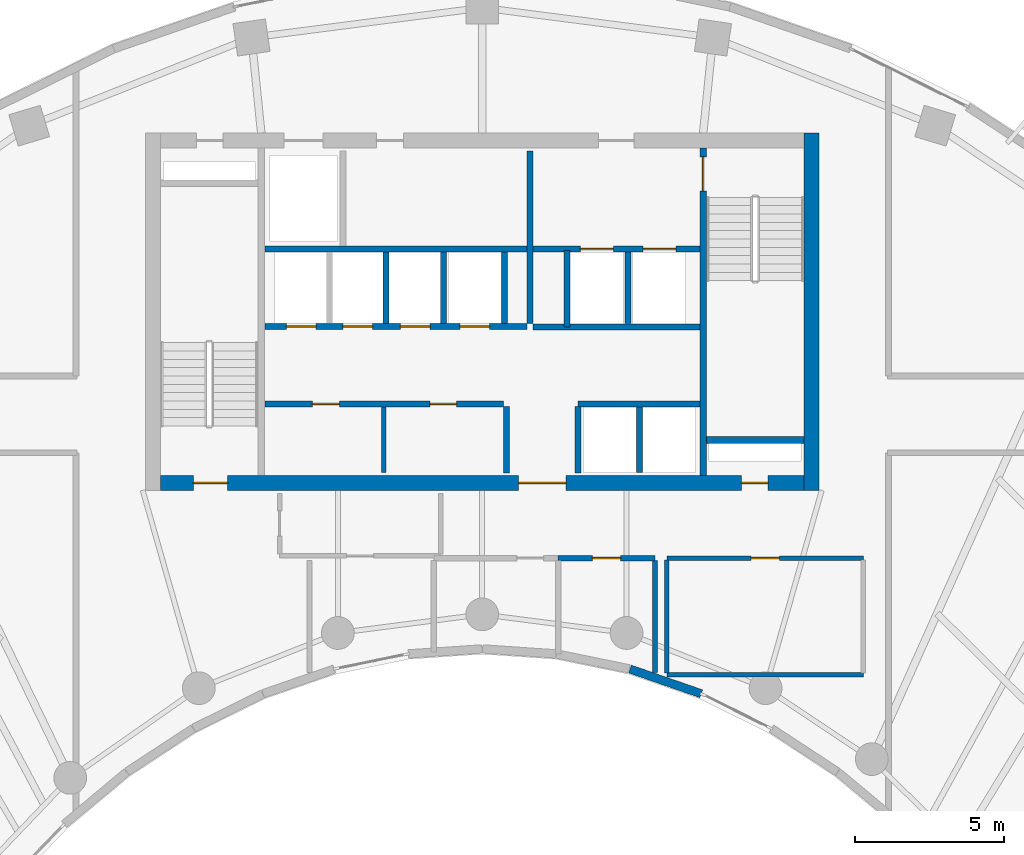
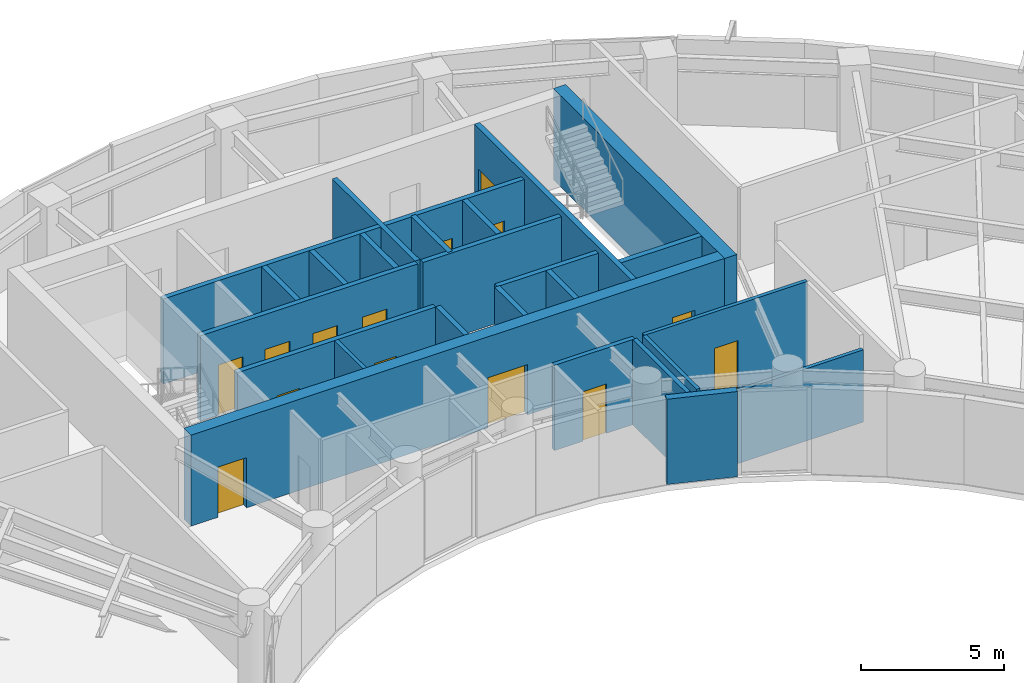
# One storey, part 9 of 13: 26 walls, 14 doors, 14 openings.
"""IFC4 building model written with IfcOpenShell, lengths in metres."""

from ifc_helpers import new_model, si_unit, direction, frame, frame_2d, origin, place, context, subcontext, project, spatial, rectangle, extrude, source, transform, mapped, material, layer, layer_set, type_object, type_shapes, element, fill, save


model = new_model("IFC4")

# Units and contexts
model_context = context("Model", 3, precision=1e-05, world=origin(), true_north=direction((0.0, 1.0)))
body_context = subcontext(model_context, "Body", "Model", "MODEL_VIEW")
ifc_project = project(units=[si_unit("LENGTHUNIT", "METRE"), si_unit("AREAUNIT", "SQUARE_METRE"), si_unit("VOLUMEUNIT", "CUBIC_METRE"), si_unit("PLANEANGLEUNIT", "RADIAN"), si_unit("MASSUNIT", "GRAM", prefix="KILO")], contexts=[model_context])

# Site, building, storey
site_placement = place(None, origin())
site = spatial("IfcSite", under=ifc_project, at=site_placement, CompositionType="ELEMENT")
building_placement = place(site_placement, origin())
building = spatial("IfcBuilding", under=site, at=building_placement, Name="Breltana Convention Tower", CompositionType="ELEMENT")
storey_placement = place(building_placement, frame((0.0, 0.0, 154.5)))
storey = spatial("IfcBuildingStorey", under=building, at=storey_placement, Name="L37", CompositionType="ELEMENT", Elevation=154.5)

# Wall
ifc_material_1 = material(Name="Concrete C60/75", Category="concrete")
ifc_layer_1 = layer(ifc_material_1, 0.5, Name="Concrete C60/75")
ifc_layer_set_1 = layer_set([ifc_layer_1], Name="Concrete C60/75")
wall_type_1 = type_object("IfcWallType", Name="SW-CORE-500", PredefinedType="SHEAR", material=ifc_layer_set_1)
shared_shape_1 = source(origin(), body_context, "Body", "SweptSolid", [
    extrude(rectangle(XDim=12.0, YDim=0.5, at=frame_2d((6.0, 0.0))), origin(), (0.0, 0.0, 1.0), 3.89990234375),
])
wall_1_placement = place(storey_placement, frame((59.050048828125, 60.199951171875, 0.0), z_axis=(0.0, 0.0, 1.0), x_axis=(0.0, 1.0, 0.0)))
element("IfcWall", 1, at=wall_1_placement, inside=storey, type_object=wall_type_1, Name="L37 East Core Shear Wall", PredefinedType="SHEAR", context=body_context, shape_type="MappedRepresentation", body=[
    mapped(shared_shape_1, transform((0.0, 0.0, 0.0), scale=1.0)),
])

# Wall, openings, doors
shared_shape_2 = source(origin(), body_context, "Body", "SweptSolid", [
    extrude(rectangle(XDim=21.60009765625, YDim=0.5, at=frame_2d((10.800048828125, 0.0))), origin(), (0.0, 0.0, 1.0), 3.89990234375),
])
wall_2_placement = place(storey_placement, frame((37.199951171875, 60.449951171875, 0.0), z_axis=(0.0, 0.0, 1.0), x_axis=(1.0, 0.0, 0.0)))
wall_2 = element("IfcWall", 2, at=wall_2_placement, inside=storey, type_object=wall_type_1, Name="L37 South Core Shear Wall", PredefinedType="SHEAR", context=body_context, shape_type="MappedRepresentation", body=[
    mapped(shared_shape_2, transform((0.0, 0.0, 0.0), scale=1.0)),
])
opening_1_placement = place(wall_2_placement, frame((1.10009765625, 0.0, 0.0)))
opening_1 = element("IfcOpeningElement", 3, at=opening_1_placement, cuts=wall_2, Name="Opening D-11", PredefinedType="OPENING", context=body_context, shape_type="SweptSolid", body=[
    extrude(rectangle(XDim=1.14990234375, YDim=2.14990234375, at=frame_2d((0.574951171875, 1.074951171875))), frame((0.0, 0.260009765625, 0.0), z_axis=(0.0, -1.0, 0.0), x_axis=(1.0, 0.0, 0.0)), (0.0, 0.0, 1.0), 0.52001953125),
])
opening_2_placement = place(wall_2_placement, frame((19.5, 0.0, 0.0)))
opening_2 = element("IfcOpeningElement", 4, at=opening_2_placement, cuts=wall_2, Name="Opening D-18", PredefinedType="OPENING", context=body_context, shape_type="SweptSolid", body=[
    extrude(rectangle(XDim=0.89990234375, YDim=2.10009765625, at=frame_2d((0.449951171875, 1.050048828125))), frame((0.0, 0.260009765625, 0.0), z_axis=(0.0, -1.0, 0.0), x_axis=(1.0, 0.0, 0.0)), (0.0, 0.0, 1.0), 0.52001953125),
])
opening_3_placement = place(wall_2_placement, frame((12.02001953125, 0.0, 0.0)))
opening_3 = element("IfcOpeningElement", 5, at=opening_3_placement, cuts=wall_2, Name="Opening D-02", PredefinedType="OPENING", context=body_context, shape_type="SweptSolid", body=[
    extrude(rectangle(XDim=1.60009765625, YDim=2.14990234375, at=frame_2d((0.800048828125, 1.074951171875))), frame((0.0, 0.260009765625, 0.0), z_axis=(0.0, -1.0, 0.0), x_axis=(1.0, 0.0, 0.0)), (0.0, 0.0, 1.0), 0.52001953125),
])
ifc_material_2 = material(Name="Steel Stair Exit Door", Category="steel")
door_type_1 = type_object("IfcDoorType", Name="DR-FD120-1150", OperationType="NOTDEFINED", PredefinedType="DOOR", material=ifc_material_2)
shared_shape_3 = source(origin(), body_context, "Body", "SweptSolid", [
    extrude(rectangle(XDim=1.14990234375, YDim=2.14990234375, at=frame_2d((0.574951171875, 1.074951171875))), frame((0.0, 0.02490234375, 0.0), z_axis=(0.0, -1.0, 0.0), x_axis=(1.0, 0.0, 0.0)), (0.0, 0.0, 1.0), 0.050048828125),
])
type_shapes(door_type_1, [shared_shape_3])
door_1_placement = place(opening_1_placement, origin())
door_1 = element("IfcDoor", 6, at=door_1_placement, inside=storey, type_object=door_type_1, Name="L37 interior door D-L37-ST1", OperationType="SINGLE_SWING_LEFT", OverallHeight=2.14990234375, OverallWidth=1.14990234375, PredefinedType="DOOR", context=body_context, shape_type="MappedRepresentation", body=[
    mapped(shared_shape_3, transform((0.0, 0.0, 0.0), scale=1.0)),
])
fill(opening_1, door_1)
ifc_material_3 = material(Name="Steel Riser Fire Door", Category="steel")
door_type_2 = type_object("IfcDoorType", Name="DR-FD60-900", OperationType="NOTDEFINED", PredefinedType="DOOR", material=ifc_material_3)
shared_shape_4 = source(origin(), body_context, "Body", "SweptSolid", [
    extrude(rectangle(XDim=0.89990234375, YDim=2.10009765625, at=frame_2d((0.449951171875, 1.050048828125))), frame((0.0, 0.02490234375, 0.0), z_axis=(0.0, -1.0, 0.0), x_axis=(1.0, 0.0, 0.0)), (0.0, 0.0, 1.0), 0.050048828125),
])
type_shapes(door_type_2, [shared_shape_4])
door_2_placement = place(opening_2_placement, origin())
door_2 = element("IfcDoor", 7, at=door_2_placement, inside=storey, type_object=door_type_2, Name="L37 Core Riser Access Door D-L37-RS2", OperationType="SINGLE_SWING_RIGHT", OverallHeight=2.10009765625, OverallWidth=0.89990234375, PredefinedType="DOOR", context=body_context, shape_type="MappedRepresentation", body=[
    mapped(shared_shape_4, transform((0.0, 0.0, 0.0), scale=1.0)),
])
fill(opening_2, door_2)
ifc_material_4 = material(Name="Steel Glazed Smoke-Control Door", Category="steel")
door_type_3 = type_object("IfcDoorType", Name="DR-DBL-FD90-1600", OperationType="DOUBLE_DOOR_SINGLE_SWING", PredefinedType="DOOR", material=ifc_material_4)
shared_shape_5 = source(origin(), body_context, "Body", "SweptSolid", [
    extrude(rectangle(XDim=1.60009765625, YDim=2.14990234375, at=frame_2d((0.800048828125, 1.074951171875))), frame((0.0, 0.02490234375, 0.0), z_axis=(0.0, -1.0, 0.0), x_axis=(1.0, 0.0, 0.0)), (0.0, 0.0, 1.0), 0.050048828125),
])
type_shapes(door_type_3, [shared_shape_5])
door_3_placement = place(opening_3_placement, origin())
door_3 = element("IfcDoor", 8, at=door_3_placement, inside=storey, type_object=door_type_3, Name="L37 interior door D-L37-LLB-S", OperationType="DOUBLE_DOOR_SINGLE_SWING", OverallHeight=2.14990234375, OverallWidth=1.60009765625, PredefinedType="DOOR", context=body_context, shape_type="MappedRepresentation", body=[
    mapped(shared_shape_5, transform((0.0, 0.0, 0.0), scale=1.0)),
])
fill(opening_3, door_3)

# Wall
ifc_material_5 = material(Name="Concrete C50/60", Category="concrete")
ifc_layer_2 = layer(ifc_material_5, 0.39990234375, Name="Concrete C50/60")
ifc_layer_set_2 = layer_set([ifc_layer_2], Name="Concrete C50/60")
wall_type_2 = type_object("IfcWallType", Name="SW-CORE-400", PredefinedType="SHEAR", material=ifc_layer_set_2)
shared_shape_6 = source(origin(), body_context, "Body", "SweptSolid", [
    extrude(rectangle(XDim=3.27001953125, YDim=0.219970703125, at=frame_2d((1.635009765625, 0.0))), origin(), (0.0, 0.0, 1.0), 3.89990234375),
])
wall_3_placement = place(storey_placement, frame((55.530029296875, 61.889892578125, 0.0), z_axis=(0.0, 0.0, 1.0), x_axis=(1.0, 0.0, 0.0)))
element("IfcWall", 9, at=wall_3_placement, inside=storey, type_object=wall_type_2, Name="L37 ST-2 Stairwell South Bearing Wall", PredefinedType="SHEAR", context=body_context, shape_type="MappedRepresentation", body=[
    mapped(shared_shape_6, transform((0.0, 0.0, 0.0), scale=1.0)),
])

# Wall, opening, door
shared_shape_7 = source(origin(), body_context, "Body", "SweptSolid", [
    extrude(rectangle(XDim=11.0, YDim=0.219970703125, at=frame_2d((5.5, 0.0))), origin(), (0.0, 0.0, 1.0), 3.89990234375),
])
wall_4_placement = place(storey_placement, frame((55.419921875, 60.699951171875, 0.0), z_axis=(0.0, 0.0, 1.0), x_axis=(0.0, 1.0, 0.0)))
wall_4 = element("IfcWall", 10, at=wall_4_placement, inside=storey, type_object=wall_type_2, Name="L37 Core East Stair Spine Wall", PredefinedType="SHEAR", context=body_context, shape_type="MappedRepresentation", body=[
    mapped(shared_shape_7, transform((0.0, 0.0, 0.0), scale=1.0)),
])
opening_4_placement = place(wall_4_placement, frame((9.544921875, 0.0, 0.0)))
opening_4 = element("IfcOpeningElement", 11, at=opening_4_placement, cuts=wall_4, Name="Opening D-11", PredefinedType="OPENING", context=body_context, shape_type="SweptSolid", body=[
    extrude(rectangle(XDim=1.14990234375, YDim=2.14990234375, at=frame_2d((0.574951171875, 1.074951171875))), frame((0.0, 0.1201171875, 0.0), z_axis=(0.0, -1.0, 0.0), x_axis=(1.0, 0.0, 0.0)), (0.0, 0.0, 1.0), 0.239990234375),
])
door_4_placement = place(opening_4_placement, origin())
door_4 = element("IfcDoor", 12, at=door_4_placement, inside=storey, type_object=door_type_1, Name="L37 interior door D-L37-ST2", OperationType="SINGLE_SWING_LEFT", OverallHeight=2.14990234375, OverallWidth=1.14990234375, PredefinedType="DOOR", context=body_context, shape_type="MappedRepresentation", body=[
    mapped(shared_shape_3, transform((0.0, 0.0, 0.0), scale=1.0)),
])
fill(opening_4, door_4)

# Walls
ifc_material_6 = material(Name="Limestone Buff Insulated Wall", Category="masonry")
ifc_layer_3 = layer(ifc_material_6, 0.280029296875, Name="Limestone Buff Insulated Wall")
ifc_layer_set_3 = layer_set([ifc_layer_3], Name="Limestone Buff Insulated Wall")
wall_type_3 = type_object("IfcWallType", Name="WL-EXT-NOSE-280", PredefinedType="SOLIDWALL", material=ifc_layer_set_3)
shared_shape_8 = source(origin(), body_context, "Body", "SweptSolid", [
    extrude(rectangle(XDim=2.52978515625, YDim=0.280029296875, at=frame_2d((1.264892578125, 0.0))), origin(), (0.0, 0.0, 1.0), 3.64990234375),
])
wall_5_placement = place(storey_placement, frame((55.35546875, 53.369873046875, 0.0), z_axis=(0.0, 0.0, 1.0), x_axis=(-0.944872429646, 0.327438683872, 0.0)))
element("IfcWall", 13, at=wall_5_placement, inside=storey, type_object=wall_type_3, Name="L37 curved limestone nose wall E10", PredefinedType="SOLIDWALL", context=body_context, shape_type="MappedRepresentation", body=[
    mapped(shared_shape_8, transform((0.0, 0.0, 0.0), scale=1.0)),
])
ifc_material_7 = material(Name="Autoclaved Aerated Concrete Block", Category="concrete")
ifc_layer_4 = layer(ifc_material_7, 0.199951171875, Name="Autoclaved Aerated Concrete Block")
ifc_layer_set_4 = layer_set([ifc_layer_4], Name="Autoclaved Aerated Concrete Block")
wall_type_4 = type_object("IfcWallType", Name="WL-SHAFT-200", PredefinedType="SOLIDWALL", material=ifc_layer_set_4)
shared_shape_9 = source(origin(), body_context, "Body", "SweptSolid", [
    extrude(rectangle(XDim=2.239990234375, YDim=0.199951171875, at=frame_2d((1.1201171875, 0.0))), origin(), (0.0, 0.0, 1.0), 3.64990234375),
])
for number, where, z_axis, x_axis, name in (
    (14, (48.820068359375, 60.780029296875, 0.0), (0.0, 0.0, 1.0), (0.0, 1.0, 0.0), "L37 interior partition W-L37-PORT-W"),
    (15, (51.219970703125, 60.780029296875, 0.0), (0.0, 0.0, 1.0), (0.0, 1.0, 0.0), "L37 interior partition W-L37-PORT-E"),
):
    element("IfcWall", number, at=place(storey_placement, frame(where, z_axis=z_axis, x_axis=x_axis)), inside=storey, type_object=wall_type_4, Name=name, PredefinedType="SOLIDWALL", context=body_context, shape_type="MappedRepresentation", body=[
        mapped(shared_shape_9, transform((0.0, 0.0, 0.0), scale=1.0)),
    ])

# Wall, openings, doors
shared_shape_10 = source(origin(), body_context, "Body", "SweptSolid", [
    extrude(rectangle(XDim=5.6201171875, YDim=0.199951171875, at=frame_2d((2.81005859375, 0.0))), origin(), (0.0, 0.0, 1.0), 3.64990234375),
])
wall_6_placement = place(storey_placement, frame((49.699951171875, 68.300048828125, 0.0), z_axis=(0.0, 0.0, 1.0), x_axis=(1.0, 0.0, 0.0)))
wall_6 = element("IfcWall", 16, at=wall_6_placement, inside=storey, type_object=wall_type_4, Name="L37 interior partition W-L37-FFL-S", PredefinedType="SOLIDWALL", context=body_context, shape_type="MappedRepresentation", body=[
    mapped(shared_shape_10, transform((0.0, 0.0, 0.0), scale=1.0)),
])
opening_5_placement = place(wall_6_placement, frame((1.60009765625, 0.0, 0.0)))
opening_5 = element("IfcOpeningElement", 17, at=opening_5_placement, cuts=wall_6, Name="Opening LD-03", PredefinedType="OPENING", context=body_context, shape_type="SweptSolid", body=[
    extrude(rectangle(XDim=1.10009765625, YDim=2.14990234375, at=frame_2d((0.550048828125, 1.074951171875))), frame((0.0, 0.10986328125, 0.0), z_axis=(0.0, -1.0, 0.0), x_axis=(1.0, 0.0, 0.0)), (0.0, 0.0, 1.0), 0.219970703125),
])
opening_6_placement = place(wall_6_placement, frame((3.699951171875, 0.0, 0.0)))
opening_6 = element("IfcOpeningElement", 18, at=opening_6_placement, cuts=wall_6, Name="Opening LD-03", PredefinedType="OPENING", context=body_context, shape_type="SweptSolid", body=[
    extrude(rectangle(XDim=1.10009765625, YDim=2.14990234375, at=frame_2d((0.550048828125, 1.074951171875))), frame((0.0, 0.10986328125, 0.0), z_axis=(0.0, -1.0, 0.0), x_axis=(1.0, 0.0, 0.0)), (0.0, 0.0, 1.0), 0.219970703125),
])
ifc_material_8 = material(Name="Stainless Steel Brushed", Category="steel")
door_type_4 = type_object("IfcDoorType", Name="DR-LD-FF-1100", OperationType="DOUBLE_DOOR_SLIDING", PredefinedType="DOOR", material=ifc_material_8)
shared_shape_11 = source(origin(), body_context, "Body", "SweptSolid", [
    extrude(rectangle(XDim=1.10009765625, YDim=2.14990234375, at=frame_2d((0.550048828125, 1.074951171875))), frame((0.0, 0.02490234375, 0.0), z_axis=(0.0, -1.0, 0.0), x_axis=(1.0, 0.0, 0.0)), (0.0, 0.0, 1.0), 0.050048828125),
])
type_shapes(door_type_4, [shared_shape_11])
door_5_placement = place(opening_5_placement, origin())
door_5 = element("IfcDoor", 19, at=door_5_placement, inside=storey, type_object=door_type_4, Name="L37 Lift Landing Door D-L37-LD-FL1", OperationType="DOUBLE_DOOR_SLIDING", OverallHeight=2.14990234375, OverallWidth=1.10009765625, PredefinedType="DOOR", context=body_context, shape_type="MappedRepresentation", body=[
    mapped(shared_shape_11, transform((0.0, 0.0, 0.0), scale=1.0)),
])
fill(opening_5, door_5)
door_6_placement = place(opening_6_placement, origin())
door_6 = element("IfcDoor", 20, at=door_6_placement, inside=storey, type_object=door_type_4, Name="L37 Lift Landing Door D-L37-LD-FL2", OperationType="DOUBLE_DOOR_SLIDING", OverallHeight=2.14990234375, OverallWidth=1.10009765625, PredefinedType="DOOR", context=body_context, shape_type="MappedRepresentation", body=[
    mapped(shared_shape_11, transform((0.0, 0.0, 0.0), scale=1.0)),
])
fill(opening_6, door_6)

# Walls
wall_7_placement = place(storey_placement, frame((49.699951171875, 65.679931640625, 0.0), z_axis=(0.0, 0.0, 1.0), x_axis=(1.0, 0.0, 0.0)))
element("IfcWall", 21, at=wall_7_placement, inside=storey, type_object=wall_type_4, Name="L37 interior partition W-L37-FL-S", PredefinedType="SOLIDWALL", context=body_context, shape_type="MappedRepresentation", body=[
    mapped(shared_shape_10, transform((0.0, 0.0, 0.0), scale=1.0)),
])
shared_shape_12 = source(origin(), body_context, "Body", "SweptSolid", [
    extrude(rectangle(XDim=5.800048828125, YDim=0.199951171875, at=frame_2d((2.89990234375, 0.0))), origin(), (0.0, 0.0, 1.0), 3.64990234375),
])
wall_8_placement = place(storey_placement, frame((49.60009765625, 65.800048828125, 0.0), z_axis=(0.0, 0.0, 1.0), x_axis=(0.0, 1.0, 0.0)))
element("IfcWall", 22, at=wall_8_placement, inside=storey, type_object=wall_type_4, Name="L37 interior partition W-L37-FFL-W", PredefinedType="SOLIDWALL", context=body_context, shape_type="MappedRepresentation", body=[
    mapped(shared_shape_12, transform((0.0, 0.0, 0.0), scale=1.0)),
])
shared_shape_13 = source(origin(), body_context, "Body", "SweptSolid", [
    extrude(rectangle(XDim=2.580078125, YDim=0.199951171875, at=frame_2d((1.2900390625, 0.0))), origin(), (0.0, 0.0, 1.0), 3.64990234375),
])
wall_9_placement = place(storey_placement, frame((50.85009765625, 65.679931640625, 0.0), z_axis=(0.0, 0.0, 1.0), x_axis=(0.0, 1.0, 0.0)))
element("IfcWall", 23, at=wall_9_placement, inside=storey, type_object=wall_type_4, Name="L37 interior partition W-L37-FL-W", PredefinedType="SOLIDWALL", context=body_context, shape_type="MappedRepresentation", body=[
    mapped(shared_shape_13, transform((0.0, 0.0, 0.0), scale=1.0)),
])
shared_shape_14 = source(origin(), body_context, "Body", "SweptSolid", [
    extrude(rectangle(XDim=2.39990234375, YDim=0.199951171875, at=frame_2d((1.199951171875, 0.0))), origin(), (0.0, 0.0, 1.0), 3.64990234375),
])
for number, where, z_axis, x_axis, name in (
    (24, (52.89990234375, 65.800048828125, 0.0), (0.0, 0.0, 1.0), (0.0, 1.0, 0.0), "L37 interior partition W-L37-FL-DIV"),
    (25, (48.75, 65.800048828125, 0.0), (0.0, 0.0, 1.0), (0.0, 1.0, 0.0), "L37 interior partition W-L37-SH-M-END"),
    (26, (44.77001953125, 65.800048828125, 0.0), (0.0, 0.0, 1.0), (0.0, 1.0, 0.0), "L37 interior partition W-L37-SH-M-DIV2"),
    (27, (46.699951171875, 65.800048828125, 0.0), (0.0, 0.0, 1.0), (0.0, 1.0, 0.0), "L37 interior partition W-L37-SH-M-DIV3"),
):
    element("IfcWall", number, at=place(storey_placement, frame(where, z_axis=z_axis, x_axis=x_axis)), inside=storey, type_object=wall_type_4, Name=name, PredefinedType="SOLIDWALL", context=body_context, shape_type="MappedRepresentation", body=[
        mapped(shared_shape_14, transform((0.0, 0.0, 0.0), scale=1.0)),
    ])
shared_shape_15 = source(origin(), body_context, "Body", "SweptSolid", [
    extrude(rectangle(XDim=8.800048828125, YDim=0.199951171875, at=frame_2d((4.39990234375, 0.0))), origin(), (0.0, 0.0, 1.0), 3.64990234375),
])
wall_10_placement = place(storey_placement, frame((40.699951171875, 68.300048828125, 0.0), z_axis=(0.0, 0.0, 1.0), x_axis=(1.0, 0.0, 0.0)))
element("IfcWall", 28, at=wall_10_placement, inside=storey, type_object=wall_type_4, Name="L37 interior partition W-L37-SV-S", PredefinedType="SOLIDWALL", context=body_context, shape_type="MappedRepresentation", body=[
    mapped(shared_shape_15, transform((0.0, 0.0, 0.0), scale=1.0)),
])

# Wall, openings, doors
wall_11_placement = place(storey_placement, frame((40.699951171875, 65.699951171875, 0.0), z_axis=(0.0, 0.0, 1.0), x_axis=(1.0, 0.0, 0.0)))
wall_11 = element("IfcWall", 29, at=wall_11_placement, inside=storey, type_object=wall_type_4, Name="L37 interior partition W-L37-SH-M-FRONT", PredefinedType="SOLIDWALL", context=body_context, shape_type="MappedRepresentation", body=[
    mapped(shared_shape_15, transform((0.0, 0.0, 0.0), scale=1.0)),
])
opening_7_placement = place(wall_11_placement, frame((0.719970703125, 0.0, 0.0)))
opening_7 = element("IfcOpeningElement", 30, at=opening_7_placement, cuts=wall_11, Name="Opening LD-04", PredefinedType="OPENING", context=body_context, shape_type="SweptSolid", body=[
    extrude(rectangle(XDim=1.0, YDim=2.14990234375, at=frame_2d((0.5, 1.074951171875))), frame((0.0, 0.10986328125, 0.0), z_axis=(0.0, -1.0, 0.0), x_axis=(1.0, 0.0, 0.0)), (0.0, 0.0, 1.0), 0.219970703125),
])
opening_8_placement = place(wall_11_placement, frame((2.6201171875, 0.0, 0.0)))
opening_8 = element("IfcOpeningElement", 31, at=opening_8_placement, cuts=wall_11, Name="Opening LD-04", PredefinedType="OPENING", context=body_context, shape_type="SweptSolid", body=[
    extrude(rectangle(XDim=1.0, YDim=2.14990234375, at=frame_2d((0.5, 1.074951171875))), frame((0.0, 0.10986328125, 0.0), z_axis=(0.0, -1.0, 0.0), x_axis=(1.0, 0.0, 0.0)), (0.0, 0.0, 1.0), 0.219970703125),
])
opening_9_placement = place(wall_11_placement, frame((4.550048828125, 0.0, 0.0)))
opening_9 = element("IfcOpeningElement", 32, at=opening_9_placement, cuts=wall_11, Name="Opening LD-04", PredefinedType="OPENING", context=body_context, shape_type="SweptSolid", body=[
    extrude(rectangle(XDim=1.0, YDim=2.14990234375, at=frame_2d((0.5, 1.074951171875))), frame((0.0, 0.10986328125, 0.0), z_axis=(0.0, -1.0, 0.0), x_axis=(1.0, 0.0, 0.0)), (0.0, 0.0, 1.0), 0.219970703125),
])
opening_10_placement = place(wall_11_placement, frame((6.550048828125, 0.0, 0.0)))
opening_10 = element("IfcOpeningElement", 33, at=opening_10_placement, cuts=wall_11, Name="Opening LD-04", PredefinedType="OPENING", context=body_context, shape_type="SweptSolid", body=[
    extrude(rectangle(XDim=1.0, YDim=2.14990234375, at=frame_2d((0.5, 1.074951171875))), frame((0.0, 0.10986328125, 0.0), z_axis=(0.0, -1.0, 0.0), x_axis=(1.0, 0.0, 0.0)), (0.0, 0.0, 1.0), 0.219970703125),
])
door_type_5 = type_object("IfcDoorType", Name="DR-LD-PAX-1000", OperationType="DOUBLE_DOOR_SLIDING", PredefinedType="DOOR", material=ifc_material_8)
shared_shape_16 = source(origin(), body_context, "Body", "SweptSolid", [
    extrude(rectangle(XDim=1.0, YDim=2.14990234375, at=frame_2d((0.5, 1.074951171875))), frame((0.0, 0.02490234375, 0.0), z_axis=(0.0, -1.0, 0.0), x_axis=(1.0, 0.0, 0.0)), (0.0, 0.0, 1.0), 0.050048828125),
])
type_shapes(door_type_5, [shared_shape_16])
door_7_placement = place(opening_7_placement, origin())
door_7 = element("IfcDoor", 34, at=door_7_placement, inside=storey, type_object=door_type_5, Name="L37 Lift Landing Door D-L37-LD-M1", OperationType="DOUBLE_DOOR_SLIDING", OverallHeight=2.14990234375, OverallWidth=1.0, PredefinedType="DOOR", context=body_context, shape_type="MappedRepresentation", body=[
    mapped(shared_shape_16, transform((0.0, 0.0, 0.0), scale=1.0)),
])
fill(opening_7, door_7)
door_8_placement = place(opening_8_placement, origin())
door_8 = element("IfcDoor", 35, at=door_8_placement, inside=storey, type_object=door_type_5, Name="L37 Lift Landing Door D-L37-LD-M2", OperationType="DOUBLE_DOOR_SLIDING", OverallHeight=2.14990234375, OverallWidth=1.0, PredefinedType="DOOR", context=body_context, shape_type="MappedRepresentation", body=[
    mapped(shared_shape_16, transform((0.0, 0.0, 0.0), scale=1.0)),
])
fill(opening_8, door_8)
door_9_placement = place(opening_9_placement, origin())
door_9 = element("IfcDoor", 36, at=door_9_placement, inside=storey, type_object=door_type_5, Name="L37 Lift Landing Door D-L37-LD-M3", OperationType="DOUBLE_DOOR_SLIDING", OverallHeight=2.14990234375, OverallWidth=1.0, PredefinedType="DOOR", context=body_context, shape_type="MappedRepresentation", body=[
    mapped(shared_shape_16, transform((0.0, 0.0, 0.0), scale=1.0)),
])
fill(opening_9, door_9)
door_10_placement = place(opening_10_placement, origin())
door_10 = element("IfcDoor", 37, at=door_10_placement, inside=storey, type_object=door_type_5, Name="L37 Lift Landing Door D-L37-LD-M4", OperationType="DOUBLE_DOOR_SLIDING", OverallHeight=2.14990234375, OverallWidth=1.0, PredefinedType="DOOR", context=body_context, shape_type="MappedRepresentation", body=[
    mapped(shared_shape_16, transform((0.0, 0.0, 0.0), scale=1.0)),
])
fill(opening_10, door_10)

shared_shape_17 = source(origin(), body_context, "Body", "SweptSolid", [
    extrude(rectangle(XDim=8.02001953125, YDim=0.199951171875, at=frame_2d((4.010009765625, 0.0))), origin(), (0.0, 0.0, 1.0), 3.64990234375),
])
wall_12_placement = place(storey_placement, frame((40.699951171875, 63.10009765625, 0.0), z_axis=(0.0, 0.0, 1.0), x_axis=(1.0, 0.0, 0.0)))
wall_12 = element("IfcWall", 38, at=wall_12_placement, inside=storey, type_object=wall_type_4, Name="L37 interior partition W-L37-SH-S-FRONT", PredefinedType="SOLIDWALL", context=body_context, shape_type="MappedRepresentation", body=[
    mapped(shared_shape_17, transform((0.0, 0.0, 0.0), scale=1.0)),
])
opening_11_placement = place(wall_12_placement, frame((1.60009765625, 0.0, 0.0)))
opening_11 = element("IfcOpeningElement", 39, at=opening_11_placement, cuts=wall_12, Name="Opening D-18", PredefinedType="OPENING", context=body_context, shape_type="SweptSolid", body=[
    extrude(rectangle(XDim=0.89990234375, YDim=2.10009765625, at=frame_2d((0.449951171875, 1.050048828125))), frame((0.0, 0.10986328125, 0.0), z_axis=(0.0, -1.0, 0.0), x_axis=(1.0, 0.0, 0.0)), (0.0, 0.0, 1.0), 0.219970703125),
])
opening_12_placement = place(wall_12_placement, frame((5.5400390625, 0.0, 0.0)))
opening_12 = element("IfcOpeningElement", 40, at=opening_12_placement, cuts=wall_12, Name="Opening D-18", PredefinedType="OPENING", context=body_context, shape_type="SweptSolid", body=[
    extrude(rectangle(XDim=0.89990234375, YDim=2.10009765625, at=frame_2d((0.449951171875, 1.050048828125))), frame((0.0, 0.10986328125, 0.0), z_axis=(0.0, -1.0, 0.0), x_axis=(1.0, 0.0, 0.0)), (0.0, 0.0, 1.0), 0.219970703125),
])
door_11_placement = place(opening_11_placement, origin())
door_11 = element("IfcDoor", 41, at=door_11_placement, inside=storey, type_object=door_type_2, Name="L37 interior door D-L37-LV7-B1A", OperationType="SINGLE_SWING_RIGHT", OverallHeight=2.10009765625, OverallWidth=0.89990234375, PredefinedType="DOOR", context=body_context, shape_type="MappedRepresentation", body=[
    mapped(shared_shape_4, transform((0.0, 0.0, 0.0), scale=1.0)),
])
fill(opening_11, door_11)
door_12_placement = place(opening_12_placement, origin())
door_12 = element("IfcDoor", 42, at=door_12_placement, inside=storey, type_object=door_type_2, Name="L37 interior door D-L37-LV7-B1B", OperationType="SINGLE_SWING_LEFT", OverallHeight=2.10009765625, OverallWidth=0.89990234375, PredefinedType="DOOR", context=body_context, shape_type="MappedRepresentation", body=[
    mapped(shared_shape_4, transform((0.0, 0.0, 0.0), scale=1.0)),
])
fill(opening_12, door_12)

# Walls
shared_shape_18 = source(origin(), body_context, "Body", "SweptSolid", [
    extrude(rectangle(XDim=4.10009765625, YDim=0.199951171875, at=frame_2d((2.050048828125, 0.0))), origin(), (0.0, 0.0, 1.0), 3.64990234375),
])
wall_13_placement = place(storey_placement, frame((51.219970703125, 63.10009765625, 0.0), z_axis=(0.0, 0.0, 1.0), x_axis=(1.0, 0.0, 0.0)))
element("IfcWall", 43, at=wall_13_placement, inside=storey, type_object=wall_type_4, Name="L37 interior partition W-L37-SH-X-FRONT", PredefinedType="SOLIDWALL", context=body_context, shape_type="MappedRepresentation", body=[
    mapped(shared_shape_18, transform((0.0, 0.0, 0.0), scale=1.0)),
])
shared_shape_19 = source(origin(), body_context, "Body", "SweptSolid", [
    extrude(rectangle(XDim=2.199951171875, YDim=0.199951171875, at=frame_2d((1.10009765625, 0.0))), origin(), (0.0, 0.0, 1.0), 3.64990234375),
])
wall_14_placement = place(storey_placement, frame((53.280029296875, 60.800048828125, 0.0), z_axis=(0.0, 0.0, 1.0), x_axis=(0.0, 1.0, 0.0)))
element("IfcWall", 44, at=wall_14_placement, inside=storey, type_object=wall_type_4, Name="L37 interior partition W-L37-SH-X-DIV", PredefinedType="SOLIDWALL", context=body_context, shape_type="MappedRepresentation", body=[
    mapped(shared_shape_19, transform((0.0, 0.0, 0.0), scale=1.0)),
])
ifc_material_9 = material(Name="Cement Board Wet-Area Partition")
ifc_layer_5 = layer(ifc_material_9, 0.175048828125, Name="Cement Board Wet-Area Partition")
ifc_layer_set_5 = layer_set([ifc_layer_5], Name="Cement Board Wet-Area Partition")
wall_type_5 = type_object("IfcWallType", Name="WL-WET-175", PredefinedType="PARTITIONING", material=ifc_layer_set_5)
shared_shape_20 = source(origin(), body_context, "Body", "SweptSolid", [
    extrude(rectangle(XDim=3.7626953125, YDim=0.175048828125, at=frame_2d((1.88134765625, 0.0))), origin(), (0.0, 0.0, 1.0), 3.64990234375),
])
wall_15_placement = place(storey_placement, frame((53.800048828125, 54.07861328125, 0.0), z_axis=(0.0, 0.0, 1.0), x_axis=(0.0, 1.0, 0.0)))
element("IfcWall", 45, at=wall_15_placement, inside=storey, type_object=wall_type_5, Name="L37 interior partition W-L37-WCA-E", PredefinedType="PARTITIONING", context=body_context, shape_type="MappedRepresentation", body=[
    mapped(shared_shape_20, transform((0.0, 0.0, 0.0), scale=1.0)),
])

# Wall, opening, door
ifc_material_10 = material(Name="Moisture-Resistant Gypsum Chase Wall")
ifc_layer_6 = layer(ifc_material_10, 0.179931640625, Name="Moisture-Resistant Gypsum Chase Wall")
ifc_layer_set_6 = layer_set([ifc_layer_6], Name="Moisture-Resistant Gypsum Chase Wall")
wall_type_6 = type_object("IfcWallType", Name="WL-PLUMB-180", PredefinedType="PLUMBINGWALL", material=ifc_layer_set_6)
shared_shape_21 = source(origin(), body_context, "Body", "SweptSolid", [
    extrude(rectangle(XDim=3.248046875, YDim=0.179931640625, at=frame_2d((1.6240234375, 0.0))), origin(), (0.0, 0.0, 1.0), 3.64990234375),
])
wall_16_placement = place(storey_placement, frame((50.552001953125, 57.919921875, 0.0), z_axis=(0.0, 0.0, 1.0), x_axis=(1.0, 0.0, 0.0)))
wall_16 = element("IfcWall", 46, at=wall_16_placement, inside=storey, type_object=wall_type_6, Name="L37 interior partition W-L37-WCA-N", PredefinedType="PLUMBINGWALL", context=body_context, shape_type="MappedRepresentation", body=[
    mapped(shared_shape_21, transform((0.0, 0.0, 0.0), scale=1.0)),
])
opening_13_placement = place(wall_16_placement, frame((1.14892578125, 0.0, 0.0)))
opening_13 = element("IfcOpeningElement", 47, at=opening_13_placement, cuts=wall_16, Name="Opening D-16", PredefinedType="OPENING", context=body_context, shape_type="SweptSolid", body=[
    extrude(rectangle(XDim=0.949951171875, YDim=2.1201171875, at=frame_2d((0.47509765625, 1.06005859375))), frame((0.0, 0.10009765625, 0.0), z_axis=(0.0, -1.0, 0.0), x_axis=(1.0, 0.0, 0.0)), (0.0, 0.0, 1.0), 0.199951171875),
])
ifc_material_11 = material(Name="Timber Laminate Accessible Door", Category="wood")
door_type_6 = type_object("IfcDoorType", Name="DR-ACC-950", OperationType="NOTDEFINED", PredefinedType="DOOR", material=ifc_material_11)
shared_shape_22 = source(origin(), body_context, "Body", "SweptSolid", [
    extrude(rectangle(XDim=0.949951171875, YDim=2.1201171875, at=frame_2d((0.47509765625, 1.06005859375))), frame((0.0, 0.02490234375, 0.0), z_axis=(0.0, -1.0, 0.0), x_axis=(1.0, 0.0, 0.0)), (0.0, 0.0, 1.0), 0.050048828125),
])
type_shapes(door_type_6, [shared_shape_22])
door_13_placement = place(opening_13_placement, origin())
door_13 = element("IfcDoor", 48, at=door_13_placement, inside=storey, type_object=door_type_6, Name="L37 interior door D-L37-WCA", OperationType="SINGLE_SWING_LEFT", OverallHeight=2.1201171875, OverallWidth=0.949951171875, PredefinedType="DOOR", context=body_context, shape_type="MappedRepresentation", body=[
    mapped(shared_shape_22, transform((0.0, 0.0, 0.0), scale=1.0)),
])
fill(opening_13, door_13)

# Wall
ifc_material_12 = material(Name="Gypsum Acoustic Drywall Partition")
ifc_layer_7 = layer(ifc_material_12, 0.14990234375, Name="Gypsum Acoustic Drywall Partition")
ifc_layer_set_7 = layer_set([ifc_layer_7], Name="Gypsum Acoustic Drywall Partition")
wall_type_7 = type_object("IfcWallType", Name="WL-PART-150", PredefinedType="PARTITIONING", material=ifc_layer_set_7)
shared_shape_23 = source(origin(), body_context, "Body", "SweptSolid", [
    extrude(rectangle(XDim=6.60009765625, YDim=0.14990234375, at=frame_2d((3.300048828125, 0.0))), origin(), (0.0, 0.0, 1.0), 3.094970703125),
])
wall_17_placement = place(storey_placement, frame((54.199951171875, 54.0, 0.0), z_axis=(0.0, 0.0, 1.0), x_axis=(1.0, 0.0, 0.0)))
element("IfcWall", 49, at=wall_17_placement, inside=storey, type_object=wall_type_7, Name="L37 interior partition W-L37-PNT-S", PredefinedType="PARTITIONING", context=body_context, shape_type="MappedRepresentation", body=[
    mapped(shared_shape_23, transform((0.0, 0.0, 0.0), scale=1.0)),
])

# Wall, opening, door
shared_shape_24 = source(origin(), body_context, "Body", "SweptSolid", [
    extrude(rectangle(XDim=6.60009765625, YDim=0.14990234375, at=frame_2d((3.300048828125, 0.0))), origin(), (0.0, 0.0, 1.0), 3.64990234375),
])
wall_18_placement = place(storey_placement, frame((54.199951171875, 57.919921875, 0.0), z_axis=(0.0, 0.0, 1.0), x_axis=(1.0, 0.0, 0.0)))
wall_18 = element("IfcWall", 50, at=wall_18_placement, inside=storey, type_object=wall_type_7, Name="L37 interior partition W-L37-PNT-N", PredefinedType="PARTITIONING", context=body_context, shape_type="MappedRepresentation", body=[
    mapped(shared_shape_24, transform((0.0, 0.0, 0.0), scale=1.0)),
])
opening_14_placement = place(wall_18_placement, frame((2.824951171875, 0.0, 0.0)))
opening_14 = element("IfcOpeningElement", 51, at=opening_14_placement, cuts=wall_18, Name="Opening D-17", PredefinedType="OPENING", context=body_context, shape_type="SweptSolid", body=[
    extrude(rectangle(XDim=0.949951171875, YDim=2.10009765625, at=frame_2d((0.47509765625, 1.050048828125))), frame((0.0, 0.0849609375, 0.0), z_axis=(0.0, -1.0, 0.0), x_axis=(1.0, 0.0, 0.0)), (0.0, 0.0, 1.0), 0.169921875),
])
ifc_material_13 = material(Name="Timber Oak Veneer Door", Category="wood")
door_type_7 = type_object("IfcDoorType", Name="DR-INT-950", OperationType="NOTDEFINED", PredefinedType="DOOR", material=ifc_material_13)
shared_shape_25 = source(origin(), body_context, "Body", "SweptSolid", [
    extrude(rectangle(XDim=0.949951171875, YDim=2.10009765625, at=frame_2d((0.47509765625, 1.050048828125))), frame((0.0, 0.02490234375, 0.0), z_axis=(0.0, -1.0, 0.0), x_axis=(1.0, 0.0, 0.0)), (0.0, 0.0, 1.0), 0.050048828125),
])
type_shapes(door_type_7, [shared_shape_25])
door_14_placement = place(opening_14_placement, origin())
door_14 = element("IfcDoor", 52, at=door_14_placement, inside=storey, type_object=door_type_7, Name="L37 interior door D-L37-PNT", OperationType="SINGLE_SWING_RIGHT", OverallHeight=2.10009765625, OverallWidth=0.949951171875, PredefinedType="DOOR", context=body_context, shape_type="MappedRepresentation", body=[
    mapped(shared_shape_25, transform((0.0, 0.0, 0.0), scale=1.0)),
])
fill(opening_14, door_14)

# Walls
shared_shape_26 = source(origin(), body_context, "Body", "SweptSolid", [
    extrude(rectangle(XDim=3.78515625, YDim=0.14990234375, at=frame_2d((1.892578125, 0.0))), origin(), (0.0, 0.0, 1.0), 3.64990234375),
])
wall_19_placement = place(storey_placement, frame((54.199951171875, 54.0673828125, 0.0), z_axis=(0.0, 0.0, 1.0), x_axis=(0.0, 1.0, 0.0)))
element("IfcWall", 53, at=wall_19_placement, inside=storey, type_object=wall_type_7, Name="L37 interior partition W-L37-PNT-W", PredefinedType="PARTITIONING", context=body_context, shape_type="MappedRepresentation", body=[
    mapped(shared_shape_26, transform((0.0, 0.0, 0.0), scale=1.0)),
])
shared_shape_27 = source(origin(), body_context, "Body", "SweptSolid", [
    extrude(rectangle(XDim=2.199951171875, YDim=0.14990234375, at=frame_2d((1.10009765625, 0.0))), origin(), (0.0, 0.0, 1.0), 3.64990234375),
])
wall_20_placement = place(storey_placement, frame((44.699951171875, 60.800048828125, 0.0), z_axis=(0.0, 0.0, 1.0), x_axis=(0.0, 1.0, 0.0)))
element("IfcWall", 54, at=wall_20_placement, inside=storey, type_object=wall_type_7, Name="L37 interior partition W-L37-LV7-B1-DIV", PredefinedType="PARTITIONING", context=body_context, shape_type="MappedRepresentation", body=[
    mapped(shared_shape_27, transform((0.0, 0.0, 0.0), scale=1.0)),
])

save(model, "model.ifc")
